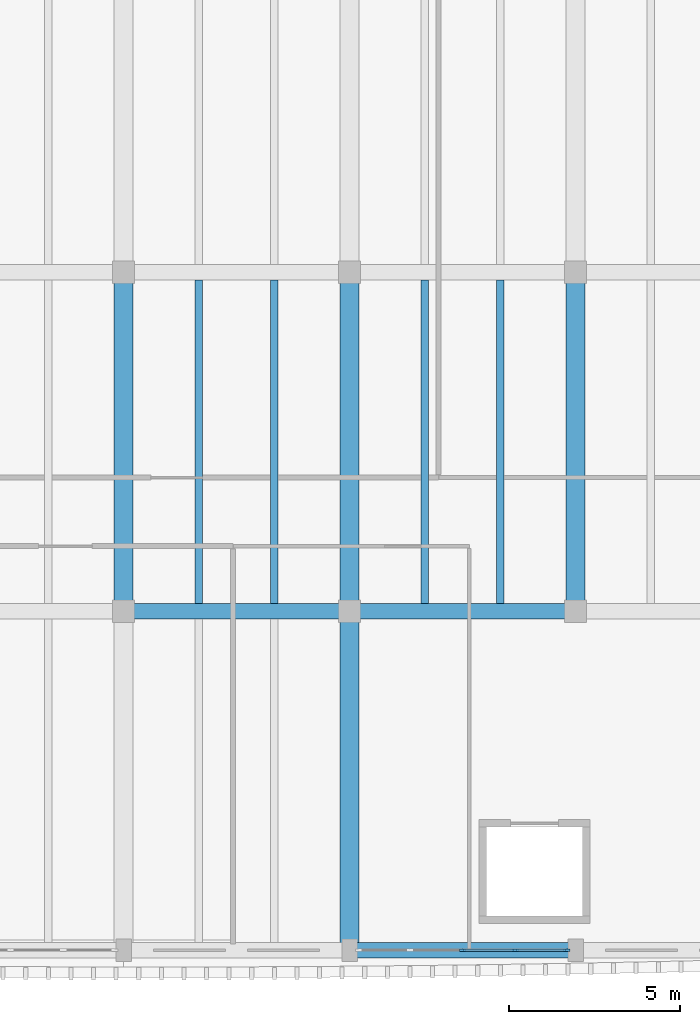
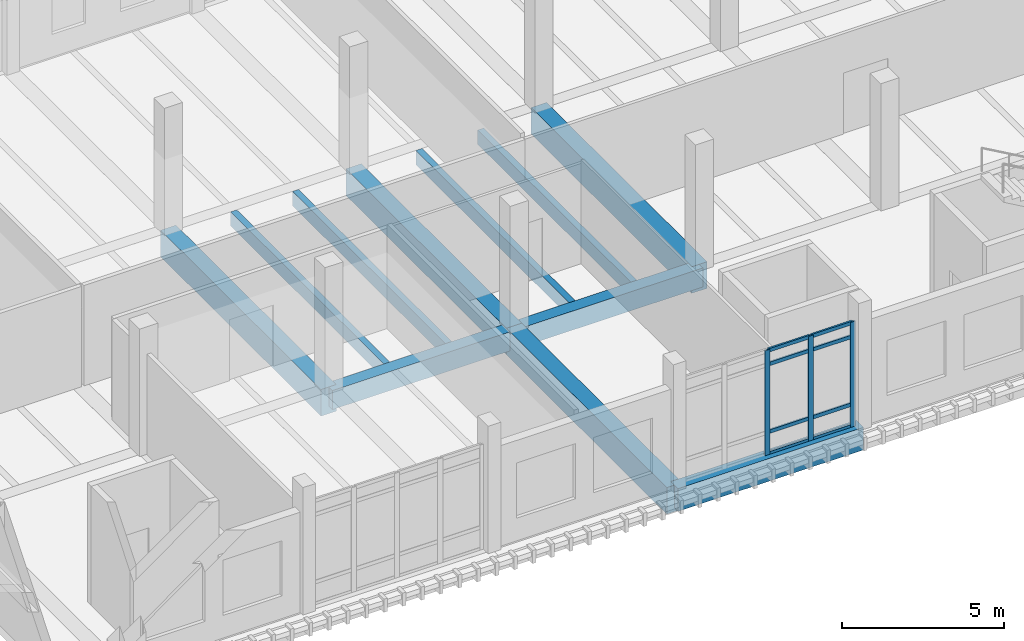
# One storey, part 10 of 39: 11 beams, 11 members, 1 element without a shape of its own.
"""IFC4 building model written with IfcOpenShell, lengths in metres."""

import ifcopenshell
import ifcopenshell.guid

model = None  # the IFC model being written
_history = None  # IfcOwnerHistory: only IFC2X3 demands one
_inside = {}  # id of a spatial element -> (the spatial element, [elements in it])
_under = {}  # id of a project, library or spatial element -> (it, [spatial elements below it])
_declared = {}  # id of a project -> (the project, [libraries it declares])
_typed = {}  # id of a type object -> (the type object, [elements of that type])
_made_of = {}  # id of a material, layer set ... -> (it, [elements and type objects made of it])


def new_model(schema):
    """Start an empty IFC model of exactly this schema.

    Asked for "IFC4X3", IfcOpenShell would pick the latest addendum, in which some entities
    have other attributes; the version numbers below select the first issue.
    IFC2X3 requires an IfcOwnerHistory on every rooted entity: one is made here for all.
    """
    global model, _history
    if schema == "IFC4X3":
        model = ifcopenshell.file(schema_version=(4, 3, 0, 0))
    else:
        model = ifcopenshell.file(schema=schema)
    _inside.clear()
    _under.clear()
    _declared.clear()
    _typed.clear()
    _made_of.clear()
    _history = None
    if model.schema == "IFC2X3":
        org = make("IfcOrganization", Name="unknown")
        user = make(
            "IfcPersonAndOrganization",
            ThePerson=make("IfcPerson", FamilyName="unknown"),
            TheOrganization=org,
        )
        app = make(
            "IfcApplication",
            ApplicationDeveloper=org,
            Version="unknown",
            ApplicationFullName="unknown",
            ApplicationIdentifier="unknown",
        )
        _history = make(
            "IfcOwnerHistory",
            OwningUser=user,
            OwningApplication=app,
            ChangeAction="ADDED",
            CreationDate=0,
        )
    return model


def make(cls, **values):
    """One entity of the class cls with the attributes given. An attribute that is None is left unset."""
    return model.create_entity(
        cls, **{name: value for name, value in values.items() if value is not None}
    )


def rooted(cls, **values):
    """An entity with a GlobalId (a new one), such as an element, a storey or a relation."""
    return make(cls, GlobalId=ifcopenshell.guid.new(), OwnerHistory=_history, **values)


def si_unit(unit_type, name, prefix=None):
    """IfcSIUnit, for example si_unit("LENGTHUNIT", "METRE", prefix="MILLI")."""
    return make("IfcSIUnit", UnitType=unit_type, Prefix=prefix, Name=name)


def assignment(units):
    """IfcUnitAssignment: the units of a project."""
    return None if units is None else make("IfcUnitAssignment", Units=units)


def point(xyz):
    """IfcCartesianPoint."""
    return None if xyz is None else make("IfcCartesianPoint", Coordinates=xyz)


def direction(xyz):
    """IfcDirection."""
    return None if xyz is None else make("IfcDirection", DirectionRatios=xyz)


def frame(location, z_axis=None, x_axis=None):
    """IfcAxis2Placement3D, a coordinate frame: its origin and axes. An axis left out is left unset."""
    return make(
        "IfcAxis2Placement3D",
        Location=point(location),
        Axis=direction(z_axis),
        RefDirection=direction(x_axis),
    )


def frame_2d(location, x_axis=None):
    """IfcAxis2Placement2D, a coordinate frame in the plane: its origin and x axis."""
    return make(
        "IfcAxis2Placement2D", Location=point(location), RefDirection=direction(x_axis)
    )


def origin():
    """The frame at (0, 0, 0) with its axes left unset."""
    return frame((0.0, 0.0, 0.0))


def origin_2d():
    """The frame at (0, 0) in the plane with its x axis left unset."""
    return frame_2d((0.0, 0.0))


def place(relative_to, where):
    """IfcLocalPlacement: puts the frame where relative to a parent placement (None: the world)."""
    return make(
        "IfcLocalPlacement", PlacementRelTo=relative_to, RelativePlacement=where
    )


def context(
    kind, dimensions, precision=None, world=None, true_north=None, identifier=None
):
    """IfcGeometricRepresentationContext, for example the 3D "Model" context."""
    return make(
        "IfcGeometricRepresentationContext",
        ContextIdentifier=identifier,
        ContextType=kind,
        CoordinateSpaceDimension=dimensions,
        Precision=precision,
        WorldCoordinateSystem=world,
        TrueNorth=true_north,
    )


def subcontext(parent, identifier, kind, view, scale=None):
    """IfcGeometricRepresentationSubContext, for example "Body" below "Model"."""
    return make(
        "IfcGeometricRepresentationSubContext",
        ContextIdentifier=identifier,
        ContextType=kind,
        ParentContext=parent,
        TargetScale=scale,
        TargetView=view,
    )


def project(units=None, contexts=None):
    """IfcProject with its units and contexts."""
    return rooted(
        "IfcProject",
        Name="project",
        RepresentationContexts=contexts,
        UnitsInContext=assignment(units),
    )


def spatial(cls, under=None, at=None, **own):
    """A site, building, storey or space (cls), placed at a placement, below another one or the project."""
    s = rooted(cls, ObjectPlacement=at, **own)
    if under is not None:
        _under.setdefault(under.id(), (under, []))[1].append(s)
    return s


def profile(cls, at=None, kind="AREA", **sizes):
    """A parametric profile (cls). Its sizes go by their IFC names, for example OverallWidth=200.0."""
    return make(cls, ProfileType=kind, Position=at, **sizes)


def rectangle(**sizes):
    """IfcRectangleProfileDef."""
    return profile("IfcRectangleProfileDef", **sizes)


def extrude(swept, where, along, depth):
    """IfcExtrudedAreaSolid: the profile swept, set in the frame where, extruded along a direction by depth."""
    return make(
        "IfcExtrudedAreaSolid",
        SweptArea=swept,
        Position=where,
        ExtrudedDirection=direction(along),
        Depth=depth,
    )


def shape(context_of_items, identifier, shape_type, items):
    """IfcShapeRepresentation: the items that make up one representation, for example the "Body"."""
    return make(
        "IfcShapeRepresentation",
        ContextOfItems=context_of_items,
        RepresentationIdentifier=identifier,
        RepresentationType=shape_type,
        Items=items,
    )


def material(Name=None, Category=None):
    """IfcMaterial."""
    return make("IfcMaterial", Name=Name, Category=Category)


def material_profile(
    of_material, cross_section, Name=None, Category=None, Priority=None
):
    """IfcMaterialProfile: a cross section and its material."""
    return make(
        "IfcMaterialProfile",
        Name=Name,
        Material=of_material,
        Profile=cross_section,
        Priority=Priority,
        Category=Category,
    )


def profile_set(profiles, Name=None, composite=None):
    """IfcMaterialProfileSet."""
    return make(
        "IfcMaterialProfileSet",
        Name=Name,
        MaterialProfiles=profiles,
        CompositeProfile=composite,
    )


def made_of(thing, what):
    """Note that an element or type object is made of a material, layer set ...; save() writes the relation."""
    if what is not None:
        _made_of.setdefault(what.id(), (what, []))[1].append(thing)
    return thing


def type_object(cls, material=None, **own):
    """A type object (cls), such as IfcWallType, which elements share."""
    return made_of(rooted(cls, **own), material)


def element(
    cls,
    number,
    at=None,
    inside=None,
    cuts=None,
    type_object=None,
    material=None,
    context=None,
    identifier="Body",
    shape_type=None,
    held_by="IfcProductDefinitionShape",
    body=None,
    shapes=None,
    **own,
):
    """One element of the class cls, such as IfcWall. Its Tag is "e" and its number.

    at: its placement. inside: the storey or other place that contains it. cuts: it is an
    opening in that element (IfcRelVoidsElement). A single representation is given by context,
    identifier, shape_type and body (its items); several are given by shapes. held_by: the class
    of the entity that holds the representations. save() writes the other relations.
    """
    e = rooted(cls, Tag="e%d" % number, ObjectPlacement=at, **own)
    if body is not None:
        shapes = [shape(context, identifier, shape_type, body)]
    if shapes is not None:
        e.Representation = make(held_by, Representations=shapes)
    if inside is not None:
        _inside.setdefault(inside.id(), (inside, []))[1].append(e)
    if cuts is not None:
        rooted(
            "IfcRelVoidsElement", RelatingBuildingElement=cuts, RelatedOpeningElement=e
        )
    if type_object is not None:
        _typed.setdefault(type_object.id(), (type_object, []))[1].append(e)
    return made_of(e, material)


def aggregate(whole, parts):
    """IfcRelAggregates: a whole, such as a stair, and the parts it consists of."""
    return rooted("IfcRelAggregates", RelatingObject=whole, RelatedObjects=parts)


def save(model, path):
    """Write the relations noted so far, then the file.

    IfcRelAggregates (storeys below a building ...), IfcRelContainedInSpatialStructure (elements
    in a storey), IfcRelDefinesByType, IfcRelAssociatesMaterial and IfcRelDeclares: one each for
    every whole, place, type object, material and project.
    """
    for whole, parts in _under.values():
        aggregate(whole, parts)
    for where, things in _inside.values():
        rooted(
            "IfcRelContainedInSpatialStructure",
            RelatedElements=things,
            RelatingStructure=where,
        )
    for kind, things in _typed.values():
        rooted("IfcRelDefinesByType", RelatedObjects=things, RelatingType=kind)
    for what, things in _made_of.values():
        rooted("IfcRelAssociatesMaterial", RelatedObjects=things, RelatingMaterial=what)
    for by, libraries in _declared.values():
        rooted("IfcRelDeclares", RelatingContext=by, RelatedDefinitions=libraries)
    model.write(path)


model = new_model("IFC4")

# Units and contexts
model_context = context("Model", 3, precision=1e-05, world=origin(), true_north=direction((0.0, 1.0)))
body_context = subcontext(model_context, "Body", "Model", "MODEL_VIEW")
ifc_project = project(units=[si_unit("LENGTHUNIT", "METRE"), si_unit("AREAUNIT", "SQUARE_METRE"), si_unit("VOLUMEUNIT", "CUBIC_METRE"), si_unit("PLANEANGLEUNIT", "RADIAN"), si_unit("MASSUNIT", "GRAM", prefix="KILO")], contexts=[model_context])

# Site, building, storey
site_placement = place(None, origin())
site = spatial("IfcSite", under=ifc_project, at=site_placement, CompositionType="ELEMENT")
building_placement = place(site_placement, origin())
building = spatial("IfcBuilding", under=site, at=building_placement, Name="Dornvale Research Institute", CompositionType="ELEMENT")
storey_placement = place(building_placement, frame((0.0, 0.0, 24.60009765625)))
storey = spatial("IfcBuildingStorey", under=building, at=storey_placement, Name="L05", CompositionType="ELEMENT", Elevation=24.60009765625)

# Beams
ifc_material_1 = material(Name="Concrete f'c 45 MPa (C35/45)", Category="concrete")
ifc_material_profile_1 = material_profile(ifc_material_1, rectangle(XDim=0.449951171875, YDim=0.715087890625, at=origin_2d()), Name="RC 450x715")
ifc_profile_set_1 = profile_set([ifc_material_profile_1], Name="Concrete f'c 45 MPa (C35/45)")
beam_type_1 = type_object("IfcBeamType", Name="Beam_RC450x715_Lab", PredefinedType="BEAM", material=ifc_profile_set_1)
beam_1_placement = place(storey_placement, frame((145.199951171875, 102.300048828125, -0.357666015625), z_axis=(1.0, 0.0, 0.0), x_axis=(0.0, 1.0, 0.0)))
element("IfcBeam", 1, at=beam_1_placement, inside=storey, type_object=beam_type_1, Name="L05 primary girder #1393", PredefinedType="BEAM", context=body_context, shape_type="SweptSolid", body=[
    extrude(rectangle(XDim=0.449951171875, YDim=0.715087890625, at=origin_2d()), origin(), (0.0, 0.0, 1.0), 6.60009765625),
])
beam_2_placement = place(storey_placement, frame((151.800048828125, 102.300048828125, -0.357666015625), z_axis=(1.0, 0.0, 0.0), x_axis=(0.0, 1.0, 0.0)))
element("IfcBeam", 2, at=beam_2_placement, inside=storey, type_object=beam_type_1, Name="L05 primary girder #1394", PredefinedType="BEAM", context=body_context, shape_type="SweptSolid", body=[
    extrude(rectangle(XDim=0.449951171875, YDim=0.715087890625, at=origin_2d()), origin(), (0.0, 0.0, 1.0), 6.599853515625),
])
ifc_material_2 = material(Name="Concrete f'c 45 MPa (C35/45)", Category="concrete")
ifc_material_profile_2 = material_profile(ifc_material_2, rectangle(XDim=0.550048828125, YDim=1.0, at=origin_2d()), Name="RC 550x1000")
ifc_profile_set_2 = profile_set([ifc_material_profile_2], Name="Concrete f'c 45 MPa (C35/45)")
beam_type_2 = type_object("IfcBeamType", Name="Beam_RC550x1000_Girder", PredefinedType="BEAM", material=ifc_profile_set_2)
beam_3_placement = place(storey_placement, frame((145.199951171875, 102.300048828125, -0.5), z_axis=(0.0, 1.0, 0.0), x_axis=(-1.0, 0.0, 0.0)))
element("IfcBeam", 3, at=beam_3_placement, inside=storey, type_object=beam_type_2, Name="L05 transverse girder #1425", PredefinedType="BEAM", context=body_context, shape_type="SweptSolid", body=[
    extrude(rectangle(XDim=0.550048828125, YDim=1.0, at=origin_2d()), origin(), (0.0, 0.0, 1.0), 9.89990234375),
])
beam_4_placement = place(storey_placement, frame((151.800048828125, 92.39990234375, -0.5), z_axis=(0.0, 1.0, 0.0), x_axis=(-1.0, 0.0, 0.0)))
element("IfcBeam", 4, at=beam_4_placement, inside=storey, type_object=beam_type_2, Name="L05 transverse girder #1427", PredefinedType="BEAM", context=body_context, shape_type="SweptSolid", body=[
    extrude(rectangle(XDim=0.550048828125, YDim=1.0, at=origin_2d()), origin(), (0.0, 0.0, 1.0), 9.900146484375),
])
for number, where, z_axis, x_axis, name in (
    (5, (151.800048828125, 102.300048828125, -0.5), (0.0, 1.0, 0.0), (-1.0, 0.0, 0.0), "L05 transverse girder #1428"),
    (6, (158.39990234375, 102.300048828125, -0.5), (0.0, 1.0, 0.0), (-1.0, 0.0, 0.0), "L05 transverse girder #1430"),
):
    element("IfcBeam", number, at=place(storey_placement, frame(where, z_axis=z_axis, x_axis=x_axis)), inside=storey, type_object=beam_type_2, Name=name, PredefinedType="BEAM", context=body_context, shape_type="SweptSolid", body=[
        extrude(rectangle(XDim=0.550048828125, YDim=1.0, at=origin_2d()), origin(), (0.0, 0.0, 1.0), 9.89990234375),
    ])
ifc_material_3 = material(Name="Concrete f'c 45 MPa (C35/45)", Category="concrete")
ifc_material_profile_3 = material_profile(ifc_material_3, rectangle(XDim=0.219970703125, YDim=0.534912109375, at=origin_2d()), Name="RC 220x535")
ifc_profile_set_3 = profile_set([ifc_material_profile_3], Name="Concrete f'c 45 MPa (C35/45)")
beam_type_3 = type_object("IfcBeamType", Name="Joist_RC220x535_Waffle", PredefinedType="JOIST", material=ifc_profile_set_3)
for number, where, z_axis, x_axis, name in (
    (7, (147.39990234375, 102.52490234375, -0.267578125), (0.0, 1.0, 0.0), (-1.0, 0.0, 0.0), "L05 laboratory waffle joist #678"),
    (8, (149.60009765625, 102.52490234375, -0.267578125), (0.0, 1.0, 0.0), (-1.0, 0.0, 0.0), "L05 laboratory waffle joist #679"),
    (9, (154.0, 102.52490234375, -0.267578125), (0.0, 1.0, 0.0), (-1.0, 0.0, 0.0), "L05 laboratory waffle joist #682"),
    (10, (156.199951171875, 102.52490234375, -0.267578125), (0.0, 1.0, 0.0), (-1.0, 0.0, 0.0), "L05 laboratory waffle joist #683"),
):
    element("IfcBeam", number, at=place(storey_placement, frame(where, z_axis=z_axis, x_axis=x_axis)), inside=storey, type_object=beam_type_3, Name=name, PredefinedType="JOIST", context=body_context, shape_type="SweptSolid", body=[
        extrude(rectangle(XDim=0.219970703125, YDim=0.534912109375, at=origin_2d()), origin(), (0.0, 0.0, 1.0), 9.4501953125),
    ])

# Curtain wall, members
ifc_material_4 = material(Name="Low-E Argon Double Insulating Glazing Unit", Category="glass")
curtain_wall_type = type_object("IfcCurtainWallType", Name="UnitisedCurtainWall_V4_6150x3950", PredefinedType="USERDEFINED", material=ifc_material_4)
curtain_wall_placement = place(storey_placement, origin())
curtain_wall = element("IfcCurtainWall", 11, at=curtain_wall_placement, inside=storey, type_object=curtain_wall_type, Name="L05 V4 unitised curtain wall CW-15 #114", ObjectType="UNITISED CURTAIN WALL", PredefinedType="USERDEFINED")
ifc_material_5 = material(Name="Anodized Aluminum AA 6063-T6 Thermally Broken Frame", Category="aluminium")
ifc_material_profile_4 = material_profile(ifc_material_5, rectangle(XDim=0.06494140625, YDim=0.179931640625, at=origin_2d()), Name="ALU MULLION 65x180")
ifc_profile_set_4 = profile_set([ifc_material_profile_4], Name="Anodized Aluminum AA 6063-T6 Thermally Broken Frame")
member_type_1 = type_object("IfcMemberType", Name="Mullion_CW_65x180", PredefinedType="MULLION", material=ifc_profile_set_4)
member_1_placement = place(storey_placement, frame((158.142578125, 92.39990234375, 0.0), z_axis=(0.0, 0.0, 1.0), x_axis=(0.0, -1.0, 0.0)))
member_1 = element("IfcMember", 12, at=member_1_placement, type_object=member_type_1, Name="CW-15 mullion 1", PredefinedType="MULLION", context=body_context, shape_type="SweptSolid", body=[
    extrude(rectangle(XDim=0.06494140625, YDim=0.179931640625, at=origin_2d()), origin(), (0.0, 0.0, 1.0), 3.949951171875),
])
member_2_placement = place(storey_placement, frame((156.637451171875, 92.39990234375, 0.0), z_axis=(0.0, 0.0, 1.0), x_axis=(0.0, -1.0, 0.0)))
member_2 = element("IfcMember", 13, at=member_2_placement, type_object=member_type_1, Name="CW-15 mullion 2", PredefinedType="MULLION", context=body_context, shape_type="SweptSolid", body=[
    extrude(rectangle(XDim=0.06494140625, YDim=0.179931640625, at=origin_2d()), origin(), (0.0, 0.0, 1.0), 3.949951171875),
])
member_3_placement = place(storey_placement, frame((155.10009765625, 92.39990234375, 0.0), z_axis=(0.0, 0.0, 1.0), x_axis=(0.0, -1.0, 0.0)))
member_3 = element("IfcMember", 14, at=member_3_placement, type_object=member_type_1, Name="CW-15 mullion 3", PredefinedType="MULLION", context=body_context, shape_type="SweptSolid", body=[
    extrude(rectangle(XDim=0.06494140625, YDim=0.179931640625, at=origin_2d()), origin(), (0.0, 0.0, 1.0), 3.949951171875),
])

# Beam
ifc_material_6 = material(Name="Concrete f'c 45 MPa (C35/45)", Category="concrete")
ifc_material_profile_5 = material_profile(ifc_material_6, rectangle(XDim=0.449951171875, YDim=0.85009765625, at=origin_2d()), Name="RC 450x850")
ifc_profile_set_5 = profile_set([ifc_material_profile_5], Name="Concrete f'c 45 MPa (C35/45)")
beam_type_4 = type_object("IfcBeamType", Name="Spandrel_RC450x850_Ext", PredefinedType="SPANDREL", material=ifc_profile_set_5)
beam_5_placement = place(storey_placement, frame((151.800048828125, 92.39990234375, -0.425048828125), z_axis=(1.0, 0.0, 0.0), x_axis=(0.0, 1.0, 0.0)))
element("IfcBeam", 15, at=beam_5_placement, inside=storey, type_object=beam_type_4, Name="L05 perimeter spandrel #1386", PredefinedType="SPANDREL", context=body_context, shape_type="SweptSolid", body=[
    extrude(rectangle(XDim=0.449951171875, YDim=0.85009765625, at=origin_2d()), origin(), (0.0, 0.0, 1.0), 6.599853515625),
])

# Member
ifc_material_7 = material(Name="Anodized Aluminum AA 6063-T6 Thermally Broken Frame", Category="aluminium")
ifc_material_profile_6 = material_profile(ifc_material_7, rectangle(XDim=0.06494140625, YDim=0.135009765625, at=origin_2d()), Name="ALU TRANSOM 65x135")
ifc_profile_set_6 = profile_set([ifc_material_profile_6], Name="Anodized Aluminum AA 6063-T6 Thermally Broken Frame")
member_type_2 = type_object("IfcMemberType", Name="Transom_CW_65x135", PredefinedType="USERDEFINED", material=ifc_profile_set_6)
member_4_placement = place(storey_placement, frame((158.110107421875, 92.39990234375, 0.032470703125), z_axis=(-1.0, 0.0, 0.0), x_axis=(0.0, -1.0, 0.0)))
member_4 = element("IfcMember", 16, at=member_4_placement, type_object=member_type_2, Name="CW-15 transom 1.1", ObjectType="TRANSOM", PredefinedType="USERDEFINED", context=body_context, shape_type="SweptSolid", body=[
    extrude(rectangle(XDim=0.06494140625, YDim=0.135009765625, at=origin_2d()), origin(), (0.0, 0.0, 1.0), 1.440185546875),
])

member_5_placement = place(storey_placement, frame((158.110107421875, 92.39990234375, 0.849853515625), z_axis=(-1.0, 0.0, 0.0), x_axis=(0.0, -1.0, 0.0)))
member_5 = element("IfcMember", 17, at=member_5_placement, type_object=member_type_2, Name="CW-15 transom 1.2", ObjectType="TRANSOM", PredefinedType="USERDEFINED", context=body_context, shape_type="SweptSolid", body=[
    extrude(rectangle(XDim=0.06494140625, YDim=0.135009765625, at=origin_2d()), origin(), (0.0, 0.0, 1.0), 1.440185546875),
])

member_6_placement = place(storey_placement, frame((158.110107421875, 92.39990234375, 3.39990234375), z_axis=(-1.0, 0.0, 0.0), x_axis=(0.0, -1.0, 0.0)))
member_6 = element("IfcMember", 18, at=member_6_placement, type_object=member_type_2, Name="CW-15 transom 1.3", ObjectType="TRANSOM", PredefinedType="USERDEFINED", context=body_context, shape_type="SweptSolid", body=[
    extrude(rectangle(XDim=0.06494140625, YDim=0.135009765625, at=origin_2d()), origin(), (0.0, 0.0, 1.0), 1.440185546875),
])

member_7_placement = place(storey_placement, frame((158.110107421875, 92.39990234375, 3.91748046875), z_axis=(-1.0, 0.0, 0.0), x_axis=(0.0, -1.0, 0.0)))
member_7 = element("IfcMember", 19, at=member_7_placement, type_object=member_type_2, Name="CW-15 transom 1.4", ObjectType="TRANSOM", PredefinedType="USERDEFINED", context=body_context, shape_type="SweptSolid", body=[
    extrude(rectangle(XDim=0.06494140625, YDim=0.135009765625, at=origin_2d()), origin(), (0.0, 0.0, 1.0), 1.440185546875),
])

member_8_placement = place(storey_placement, frame((156.60498046875, 92.39990234375, 0.032470703125), z_axis=(-1.0, 0.0, 0.0), x_axis=(0.0, -1.0, 0.0)))
member_8 = element("IfcMember", 20, at=member_8_placement, type_object=member_type_2, Name="CW-15 transom 2.1", ObjectType="TRANSOM", PredefinedType="USERDEFINED", context=body_context, shape_type="SweptSolid", body=[
    extrude(rectangle(XDim=0.06494140625, YDim=0.135009765625, at=origin_2d()), origin(), (0.0, 0.0, 1.0), 1.472412109375),
])

member_9_placement = place(storey_placement, frame((156.60498046875, 92.39990234375, 0.849853515625), z_axis=(-1.0, 0.0, 0.0), x_axis=(0.0, -1.0, 0.0)))
member_9 = element("IfcMember", 21, at=member_9_placement, type_object=member_type_2, Name="CW-15 transom 2.2", ObjectType="TRANSOM", PredefinedType="USERDEFINED", context=body_context, shape_type="SweptSolid", body=[
    extrude(rectangle(XDim=0.06494140625, YDim=0.135009765625, at=origin_2d()), origin(), (0.0, 0.0, 1.0), 1.472412109375),
])

member_10_placement = place(storey_placement, frame((156.60498046875, 92.39990234375, 3.39990234375), z_axis=(-1.0, 0.0, 0.0), x_axis=(0.0, -1.0, 0.0)))
member_10 = element("IfcMember", 22, at=member_10_placement, type_object=member_type_2, Name="CW-15 transom 2.3", ObjectType="TRANSOM", PredefinedType="USERDEFINED", context=body_context, shape_type="SweptSolid", body=[
    extrude(rectangle(XDim=0.06494140625, YDim=0.135009765625, at=origin_2d()), origin(), (0.0, 0.0, 1.0), 1.472412109375),
])

member_11_placement = place(storey_placement, frame((156.60498046875, 92.39990234375, 3.91748046875), z_axis=(-1.0, 0.0, 0.0), x_axis=(0.0, -1.0, 0.0)))
member_11 = element("IfcMember", 23, at=member_11_placement, type_object=member_type_2, Name="CW-15 transom 2.4", ObjectType="TRANSOM", PredefinedType="USERDEFINED", context=body_context, shape_type="SweptSolid", body=[
    extrude(rectangle(XDim=0.06494140625, YDim=0.135009765625, at=origin_2d()), origin(), (0.0, 0.0, 1.0), 1.472412109375),
])

aggregate(curtain_wall, [member_1, member_2, member_3, member_4, member_5, member_6, member_7, member_8, member_9, member_10, member_11])

save(model, "model.ifc")
